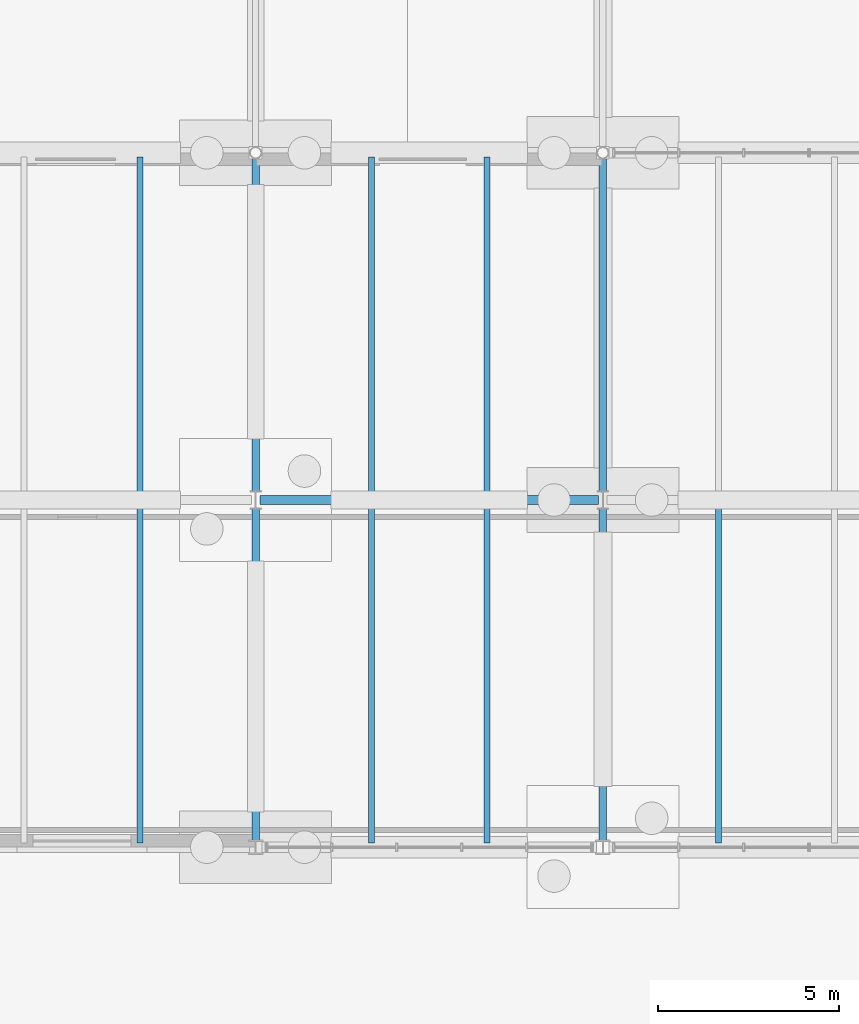
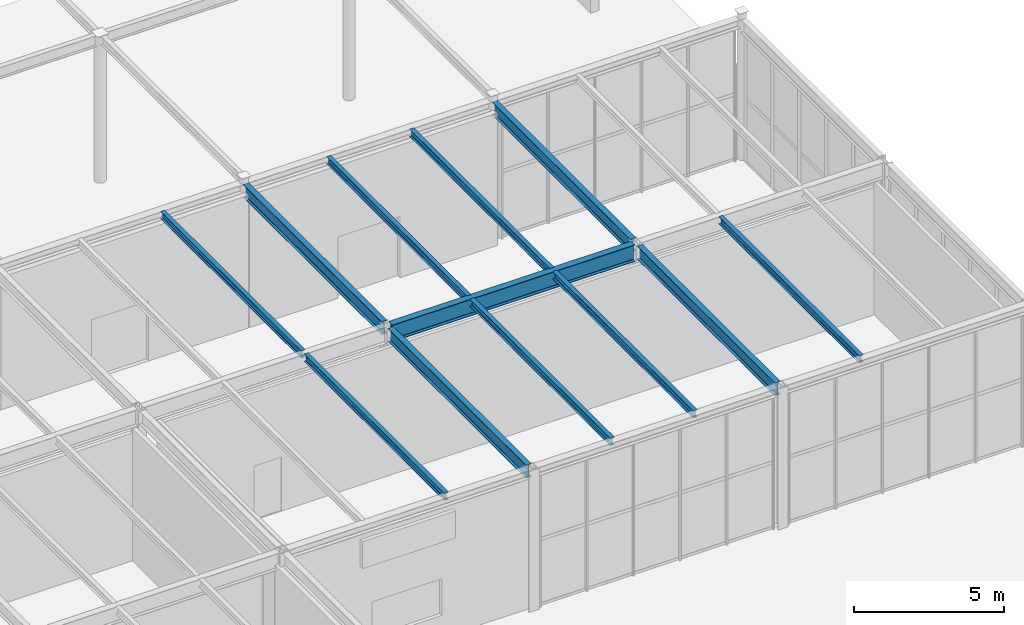
# One storey, part 96 of 142: 12 beams.
"""IFC4 building model written with IfcOpenShell, lengths in metres."""

from ifc_helpers import new_model, si_unit, direction, frame, origin, origin_2d, place, context, subcontext, project, spatial, i_section, extrude, material, material_profile, profile_set, type_object, element, save


model = new_model("IFC4")

# Units and contexts
model_context = context("Model", 3, precision=1e-05, world=origin(), true_north=direction((0.0, 1.0)))
body_context = subcontext(model_context, "Body", "Model", "MODEL_VIEW")
ifc_project = project(units=[si_unit("LENGTHUNIT", "METRE"), si_unit("AREAUNIT", "SQUARE_METRE"), si_unit("VOLUMEUNIT", "CUBIC_METRE"), si_unit("PLANEANGLEUNIT", "RADIAN"), si_unit("MASSUNIT", "GRAM", prefix="KILO")], contexts=[model_context])

# Site, building, storey
site_placement = place(None, origin())
site = spatial("IfcSite", under=ifc_project, at=site_placement, CompositionType="ELEMENT")
building_placement = place(site_placement, origin())
building = spatial("IfcBuilding", under=site, at=building_placement, Name="Coralgate Yard Interchange", CompositionType="ELEMENT")
storey_placement = place(building_placement, origin())
storey = spatial("IfcBuildingStorey", under=building, at=storey_placement, Name="L00", CompositionType="ELEMENT", Elevation=0.0)

# Beams
ifc_material = material(Name="Structural steel S355J2", Category="steel")
ifc_material_profile_1 = material_profile(ifc_material, i_section(OverallWidth=0.209228515625, OverallDepth=0.533203125, WebThickness=0.010009765625, FlangeThickness=0.015625, FilletRadius=0.0126953125, at=origin_2d()), Name="UB 533x210x92")
ifc_profile_set_1 = profile_set([ifc_material_profile_1], Name="Structural steel S355J2")
beam_type_1 = type_object("IfcBeamType", Name="BM-SB-1", PredefinedType="BEAM", material=ifc_profile_set_1)
beam_1_placement = place(storey_placement, frame((163.199951171875, 76.966796875, 5.4833984375), z_axis=(0.0, 1.0, 0.0), x_axis=(-1.0, 0.0, 0.0)))
element("IfcBeam", 1, at=beam_1_placement, inside=storey, type_object=beam_type_1, Name="L00 primary grid girder X17 Y8-9", PredefinedType="BEAM", context=body_context, shape_type="SweptSolid", body=[
    extrude(i_section(OverallWidth=0.209228515625, OverallDepth=0.533203125, WebThickness=0.010009765625, FlangeThickness=0.015625, FilletRadius=0.0126953125, at=origin_2d()), origin(), (0.0, 0.0, 1.0), 9.213134765625),
])
beam_2_placement = place(storey_placement, frame((163.199951171875, 86.6201171875, 5.4833984375), z_axis=(0.0, 1.0, 0.0), x_axis=(-1.0, 0.0, 0.0)))
element("IfcBeam", 2, at=beam_2_placement, inside=storey, type_object=beam_type_1, Name="L00 primary grid girder X17 Y9-10", PredefinedType="BEAM", context=body_context, shape_type="SweptSolid", body=[
    extrude(i_section(OverallWidth=0.209228515625, OverallDepth=0.533203125, WebThickness=0.010009765625, FlangeThickness=0.015625, FilletRadius=0.0126953125, at=origin_2d()), origin(), (0.0, 0.0, 1.0), 9.247802734375),
])
beam_3_placement = place(storey_placement, frame((172.800048828125, 76.966796875, 5.4833984375), z_axis=(0.0, 1.0, 0.0), x_axis=(-1.0, 0.0, 0.0)))
element("IfcBeam", 3, at=beam_3_placement, inside=storey, type_object=beam_type_1, Name="L00 primary grid girder X18 Y8-9", PredefinedType="BEAM", context=body_context, shape_type="SweptSolid", body=[
    extrude(i_section(OverallWidth=0.209228515625, OverallDepth=0.533203125, WebThickness=0.010009765625, FlangeThickness=0.015625, FilletRadius=0.0126953125, at=origin_2d()), origin(), (0.0, 0.0, 1.0), 9.213134765625),
])
beam_4_placement = place(storey_placement, frame((172.800048828125, 86.6201171875, 5.4833984375), z_axis=(0.0, 1.0, 0.0), x_axis=(-1.0, 0.0, 0.0)))
element("IfcBeam", 4, at=beam_4_placement, inside=storey, type_object=beam_type_1, Name="L00 primary grid girder X18 Y9-10", PredefinedType="BEAM", context=body_context, shape_type="SweptSolid", body=[
    extrude(i_section(OverallWidth=0.209228515625, OverallDepth=0.533203125, WebThickness=0.010009765625, FlangeThickness=0.015625, FilletRadius=0.0126953125, at=origin_2d()), origin(), (0.0, 0.0, 1.0), 9.247802734375),
])
ifc_material_profile_2 = material_profile(ifc_material, i_section(OverallWidth=0.253662109375, OverallDepth=0.68359375, WebThickness=0.012451171875, FlangeThickness=0.01904296875, FilletRadius=0.01513671875, at=origin_2d()), Name="UB 686x254x140")
ifc_profile_set_2 = profile_set([ifc_material_profile_2], Name="Structural steel S355J2")
beam_type_2 = type_object("IfcBeamType", Name="BM-SG-4", PredefinedType="BEAM", material=ifc_profile_set_2)
beam_5_placement = place(storey_placement, frame((163.320068359375, 86.39990234375, 5.408203125), z_axis=(1.0, 0.0, 0.0), x_axis=(0.0, 1.0, 0.0)))
element("IfcBeam", 5, at=beam_5_placement, inside=storey, type_object=beam_type_2, Name="L00 primary grid beam Y9 X17-18", PredefinedType="BEAM", context=body_context, shape_type="SweptSolid", body=[
    extrude(i_section(OverallWidth=0.253662109375, OverallDepth=0.68359375, WebThickness=0.012451171875, FlangeThickness=0.01904296875, FilletRadius=0.01513671875, at=origin_2d()), origin(), (0.0, 0.0, 1.0), 9.35986328125),
])
ifc_material_profile_3 = material_profile(ifc_material, i_section(OverallWidth=0.1650390625, OverallDepth=0.303466796875, WebThickness=0.006103515625, FlangeThickness=0.01025390625, FilletRadius=0.0087890625, at=origin_2d()), Name="UB 305x165x40")
ifc_profile_set_3 = profile_set([ifc_material_profile_3], Name="Structural steel S355J2")
beam_type_3 = type_object("IfcBeamType", Name="BM-SJ-1", PredefinedType="JOIST", material=ifc_profile_set_3)
for number, where, z_axis, x_axis, name in (
    (6, (160.0, 76.919921875, 5.598388671875), (0.0, 1.0, 0.0), (-1.0, 0.0, 0.0), "L00 composite floor joist 16-8-2"),
    (7, (160.0, 86.496826171875, 5.598388671875), (0.0, 1.0, 0.0), (-1.0, 0.0, 0.0), "L00 composite floor joist 16-9-2"),
    (8, (166.39990234375, 76.919921875, 5.598388671875), (0.0, 1.0, 0.0), (-1.0, 0.0, 0.0), "L00 composite floor joist 17-8-1"),
    (9, (169.60009765625, 76.919921875, 5.598388671875), (0.0, 1.0, 0.0), (-1.0, 0.0, 0.0), "L00 composite floor joist 17-8-2"),
    (10, (166.39990234375, 86.496826171875, 5.598388671875), (0.0, 1.0, 0.0), (-1.0, 0.0, 0.0), "L00 composite floor joist 17-9-1"),
    (11, (169.60009765625, 86.496826171875, 5.598388671875), (0.0, 1.0, 0.0), (-1.0, 0.0, 0.0), "L00 composite floor joist 17-9-2"),
    (12, (176.0, 76.919921875, 5.598388671875), (0.0, 1.0, 0.0), (-1.0, 0.0, 0.0), "L00 composite floor joist 18-8-1"),
):
    element("IfcBeam", number, at=place(storey_placement, frame(where, z_axis=z_axis, x_axis=x_axis)), inside=storey, type_object=beam_type_3, Name=name, PredefinedType="JOIST", context=body_context, shape_type="SweptSolid", body=[
        extrude(i_section(OverallWidth=0.1650390625, OverallDepth=0.303466796875, WebThickness=0.006103515625, FlangeThickness=0.01025390625, FilletRadius=0.0087890625, at=origin_2d()), origin(), (0.0, 0.0, 1.0), 9.383056640625),
    ])

save(model, "model.ifc")
